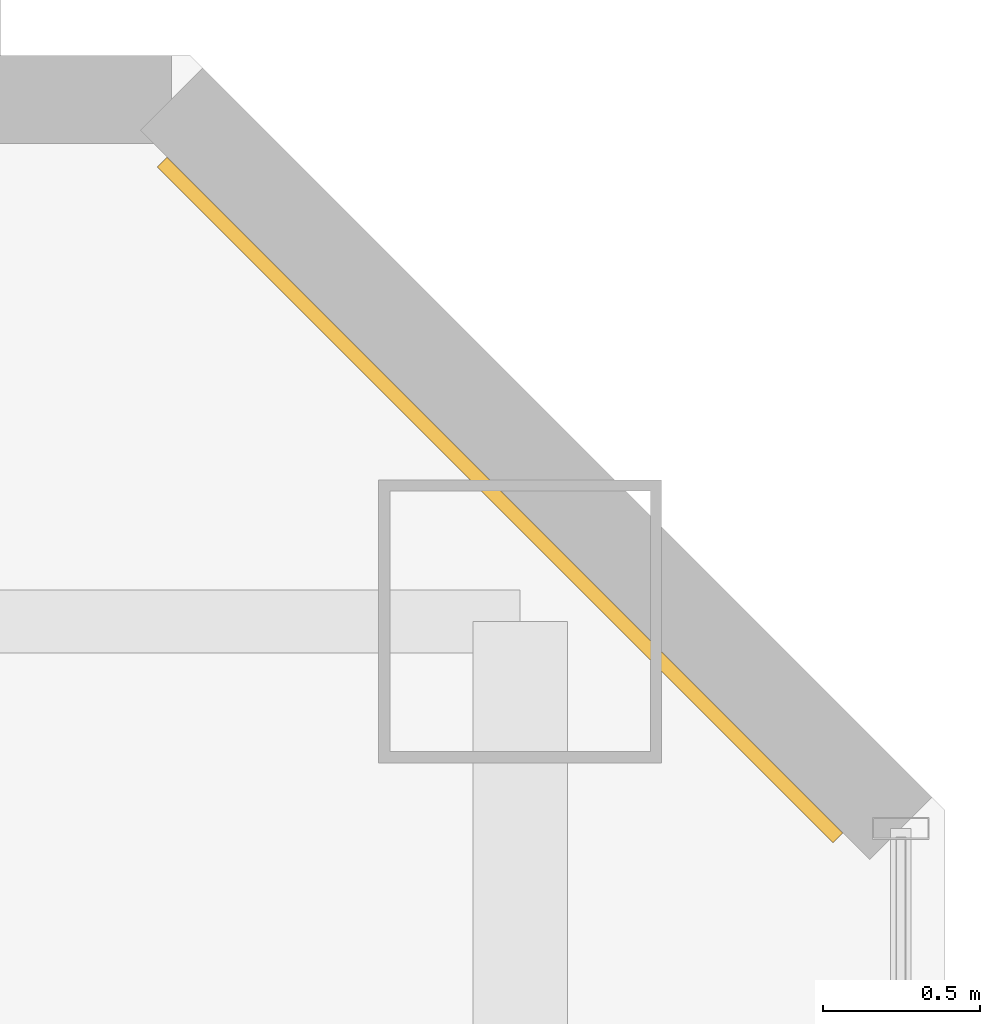
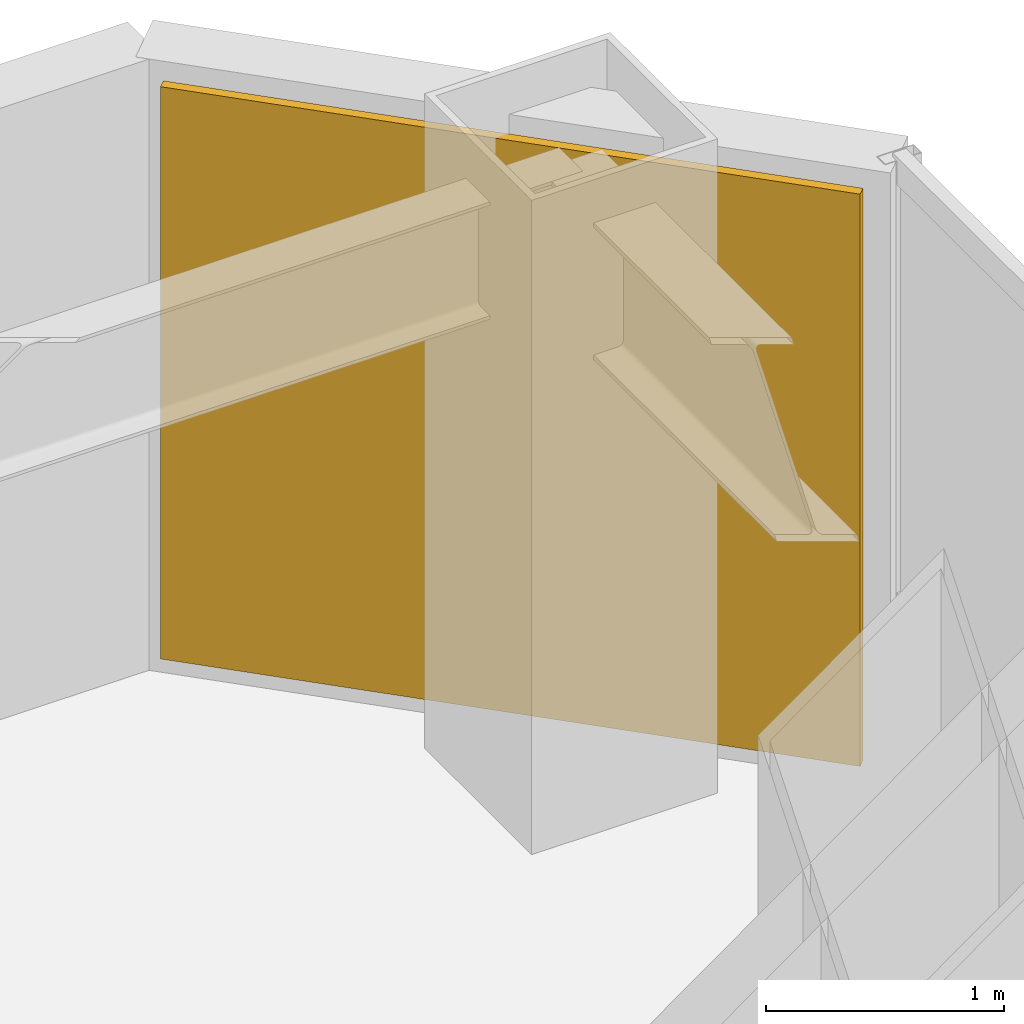
# One storey, part 30 of 30: 1 covering.
"""IFC4 building model written with IfcOpenShell, lengths in metres."""

from ifc_helpers import new_model, si_unit, direction, frame, origin, origin_2d, place, context, subcontext, project, spatial, rectangle, extrude, material, layer, layer_set, type_object, element, save


model = new_model("IFC4")

# Units and contexts
model_context = context("Model", 3, precision=1e-05, world=origin(), true_north=direction((0.0, 1.0)))
body_context = subcontext(model_context, "Body", "Model", "MODEL_VIEW")
ifc_project = project(units=[si_unit("LENGTHUNIT", "METRE"), si_unit("AREAUNIT", "SQUARE_METRE"), si_unit("VOLUMEUNIT", "CUBIC_METRE"), si_unit("PLANEANGLEUNIT", "RADIAN"), si_unit("MASSUNIT", "GRAM", prefix="KILO")], contexts=[model_context])

# Site, building, storey
site_placement = place(None, origin())
site = spatial("IfcSite", under=ifc_project, at=site_placement, CompositionType="ELEMENT")
building_placement = place(site_placement, origin())
building = spatial("IfcBuilding", under=site, at=building_placement, Name="Hatsunagi Terrace Concourse", CompositionType="ELEMENT")
storey_placement = place(building_placement, frame((0.0, 0.0, 74.60009765625)))
storey = spatial("IfcBuildingStorey", under=building, at=storey_placement, Name="L19", CompositionType="ELEMENT", Elevation=74.60009765625)

# Covering
ifc_material = material(Name="Unglazed Warm Terracotta Rainscreen Tile", Category="masonry")
ifc_layer = layer(ifc_material, 0.044921875)
ifc_layer_set = layer_set([ifc_layer], Name="TerracottaRainscreenCladding_45")
covering_type = type_object("IfcCoveringType", Name="TerracottaRainscreenCladding_45", PredefinedType="CLADDING", material=ifc_layer_set)
covering_placement = place(storey_placement, frame((43.5859375, 48.986083984375, 0.10009765625), z_axis=(0.0, 0.0, 1.0), x_axis=(0.707106781187, -0.707106781187, 0.0)))
element("IfcCovering", 1, at=covering_placement, inside=storey, type_object=covering_type, Name="Terracotta Rainscreen Cladding L19-12", PredefinedType="CLADDING", context=body_context, shape_type="SweptSolid", body=[
    extrude(rectangle(XDim=3.0380859375, YDim=0.044921875, at=origin_2d()), origin(), (0.0, 0.0, 1.0), 2.929931640625),
])

save(model, "model.ifc")
